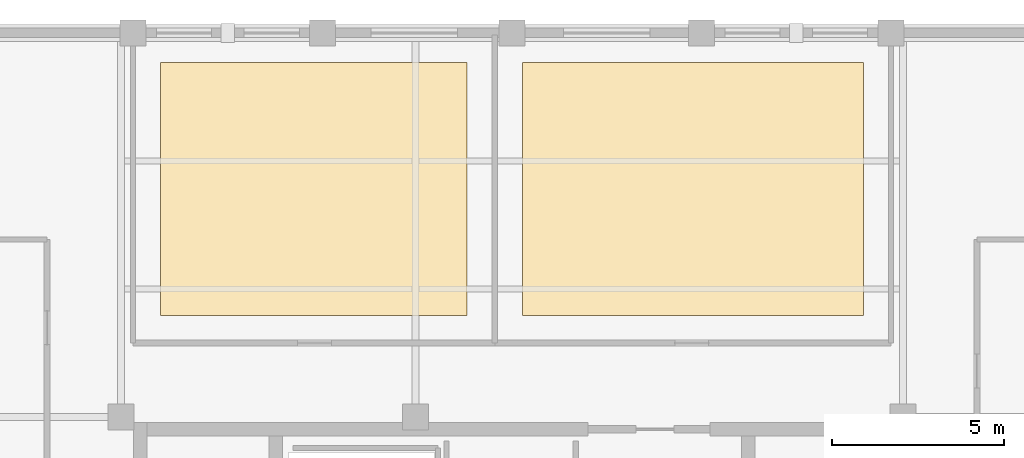
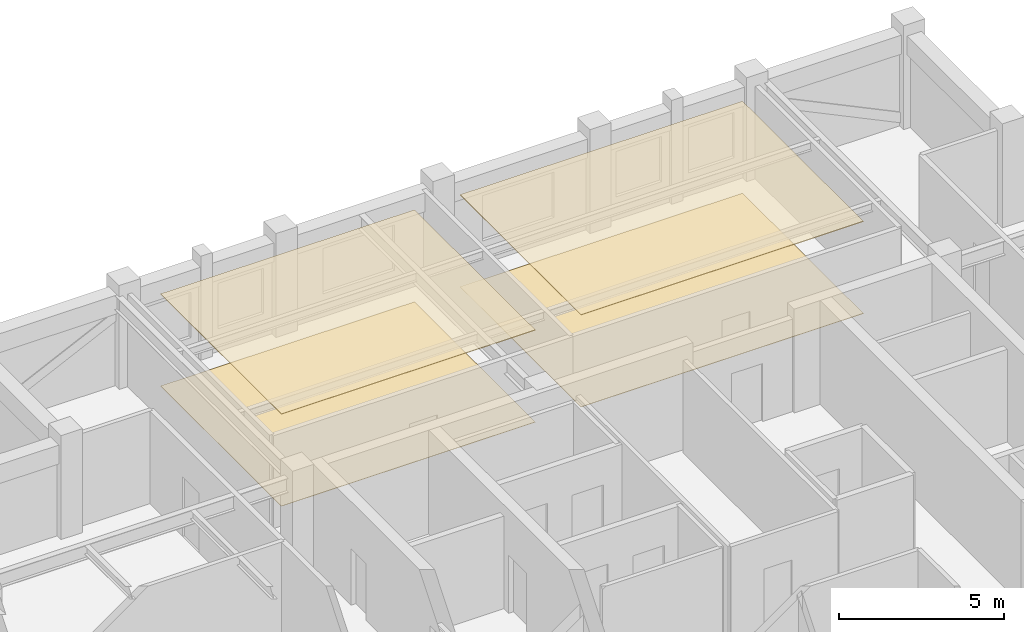
# One storey, part 10 of 10: 4 coverings.
"""IFC4 building model written with IfcOpenShell, lengths in metres."""

from ifc_helpers import new_model, si_unit, direction, frame, origin, place, context, subcontext, project, spatial, polyline, outline, extrude, material, layer, layer_set, type_object, element, save


model = new_model("IFC4")

# Units and contexts
model_context = context("Model", 3, precision=1e-05, world=origin(), true_north=direction((0.0, 1.0)))
body_context = subcontext(model_context, "Body", "Model", "MODEL_VIEW")
ifc_project = project(units=[si_unit("LENGTHUNIT", "METRE"), si_unit("AREAUNIT", "SQUARE_METRE"), si_unit("VOLUMEUNIT", "CUBIC_METRE"), si_unit("PLANEANGLEUNIT", "RADIAN"), si_unit("MASSUNIT", "GRAM", prefix="KILO")], contexts=[model_context])

# Site, building, storey
site_placement = place(None, origin())
site = spatial("IfcSite", under=ifc_project, at=site_placement, CompositionType="ELEMENT")
building_placement = place(site_placement, origin())
building = spatial("IfcBuilding", under=site, at=building_placement, Name="Nhamokura Convention Tower", CompositionType="ELEMENT")
storey_placement = place(building_placement, frame((0.0, 0.0, 262.14990234375)))
storey = spatial("IfcBuildingStorey", under=building, at=storey_placement, Name="L64", CompositionType="ELEMENT", Elevation=262.14990234375)

# Coverings
ifc_material_1 = material(Name="Mineral-fibre acoustic ceiling tile", Category="gypsum")
ifc_layer_1 = layer(ifc_material_1, 0.02490234375)
ifc_layer_set_1 = layer_set([ifc_layer_1], Name="AcousticTileCeiling_25")
covering_type_1 = type_object("IfcCoveringType", Name="AcousticTileCeiling_25", PredefinedType="CEILING", material=ifc_layer_set_1)
covering_1_placement = place(storey_placement, frame((0.0, 0.0, 3.405029296875)))
element("IfcCovering", 1, at=covering_1_placement, inside=storey, type_object=covering_type_1, Name="L64 Suspended Ceiling 05", PredefinedType="CEILING", context=body_context, shape_type="SweptSolid", body=[
    extrude(outline(polyline([(21.800048828125, 46.300048828125), (30.699951171875, 46.300048828125), (30.699951171875, 53.639892578125), (21.800048828125, 53.639892578125), (21.800048828125, 46.300048828125)])), origin(), (0.0, 0.0, 1.0), 0.025146484375),
])
covering_2_placement = place(storey_placement, frame((0.0, 0.0, 3.405029296875)))
element("IfcCovering", 2, at=covering_2_placement, inside=storey, type_object=covering_type_1, Name="L64 Suspended Ceiling 06", PredefinedType="CEILING", context=body_context, shape_type="SweptSolid", body=[
    extrude(outline(polyline([(32.300048828125, 46.300048828125), (42.199951171875, 46.300048828125), (42.199951171875, 53.639892578125), (32.300048828125, 53.639892578125), (32.300048828125, 46.300048828125)])), origin(), (0.0, 0.0, 1.0), 0.025146484375),
])
ifc_material_2 = material(Name="Acoustic woven hospitality carpet", Category="wood")
ifc_layer_2 = layer(ifc_material_2, 0.014892578125)
ifc_layer_set_2 = layer_set([ifc_layer_2], Name="WovenCarpetFlooring_15")
covering_type_2 = type_object("IfcCoveringType", Name="WovenCarpetFlooring_15", PredefinedType="FLOORING", material=ifc_layer_set_2)
covering_3_placement = place(storey_placement, origin())
element("IfcCovering", 3, at=covering_3_placement, inside=storey, type_object=covering_type_2, Name="L64 Finish Flooring 05", PredefinedType="FLOORING", context=body_context, shape_type="SweptSolid", body=[
    extrude(outline(polyline([(21.800048828125, 46.300048828125), (30.699951171875, 46.300048828125), (30.699951171875, 53.639892578125), (21.800048828125, 53.639892578125), (21.800048828125, 46.300048828125)])), origin(), (0.0, 0.0, 1.0), 0.01513671875),
])
covering_4_placement = place(storey_placement, origin())
element("IfcCovering", 4, at=covering_4_placement, inside=storey, type_object=covering_type_2, Name="L64 Finish Flooring 06", PredefinedType="FLOORING", context=body_context, shape_type="SweptSolid", body=[
    extrude(outline(polyline([(32.300048828125, 46.300048828125), (42.199951171875, 46.300048828125), (42.199951171875, 53.639892578125), (32.300048828125, 53.639892578125), (32.300048828125, 46.300048828125)])), origin(), (0.0, 0.0, 1.0), 0.01513671875),
])

save(model, "model.ifc")
